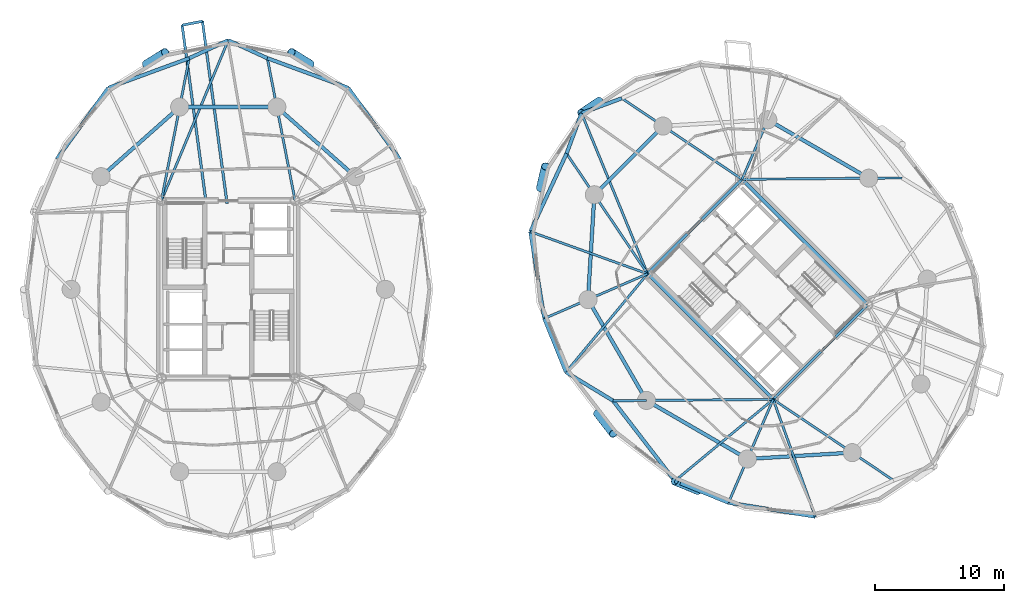
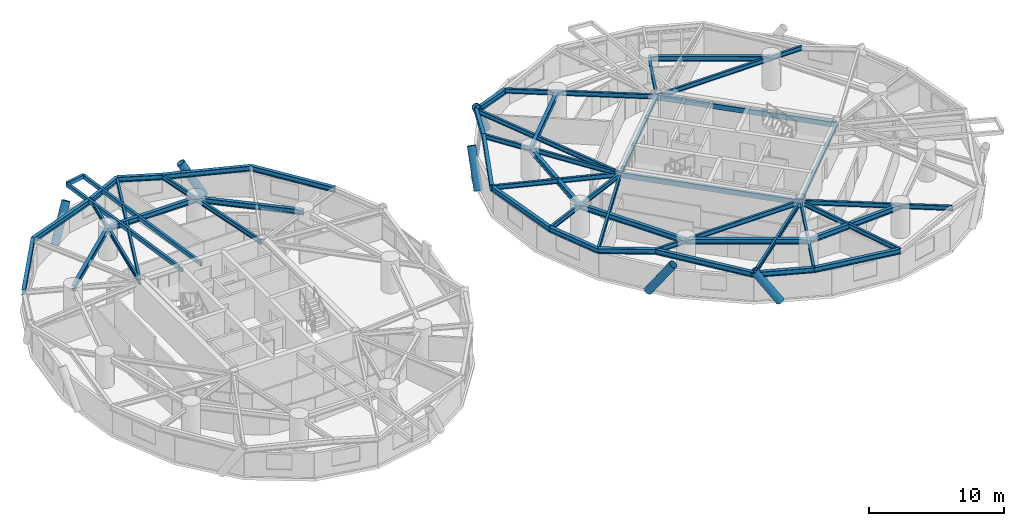
# One storey, part 5 of 17: 48 beams, 6 members.
"""IFC4 building model written with IfcOpenShell, lengths in metres."""

from ifc_helpers import new_model, si_unit, direction, frame, origin, origin_2d, place, context, subcontext, project, spatial, hollow_rectangle, hollow_circle, i_section, extrude, material, material_profile, profile_set, type_object, element, save


model = new_model("IFC4")

# Units and contexts
model_context = context("Model", 3, precision=1e-05, world=origin(), true_north=direction((0.0, 1.0)))
body_context = subcontext(model_context, "Body", "Model", "MODEL_VIEW")
ifc_project = project(units=[si_unit("LENGTHUNIT", "METRE"), si_unit("AREAUNIT", "SQUARE_METRE"), si_unit("VOLUMEUNIT", "CUBIC_METRE"), si_unit("PLANEANGLEUNIT", "RADIAN"), si_unit("MASSUNIT", "GRAM", prefix="KILO")], contexts=[model_context])

# Site, building, storey
site_placement = place(None, origin())
site = spatial("IfcSite", under=ifc_project, at=site_placement, CompositionType="ELEMENT")
building_placement = place(site_placement, origin())
building = spatial("IfcBuilding", under=site, at=building_placement, Name="Cununo Teusaquillo Station Towers", CompositionType="ELEMENT")
storey_placement = place(building_placement, frame((0.0, 0.0, 107.97998046875)))
storey = spatial("IfcBuildingStorey", under=building, at=storey_placement, Name="L34", CompositionType="ELEMENT", Elevation=107.97998046875)

# Beams
ifc_material_1 = material(Name="Steel EN 10025-2 S355J2", Category="steel")
ifc_material_profile_1 = material_profile(ifc_material_1, hollow_rectangle(XDim=0.199951171875, YDim=0.35009765625, WallThickness=0.013916015625, at=origin_2d()), Name="RHS 350x200x14")
ifc_profile_set_1 = profile_set([ifc_material_profile_1], Name="Steel EN 10025-2 S355J2")
beam_type_1 = type_object("IfcBeamType", Name="BM-BAL-CANT", PredefinedType="BEAM", material=ifc_profile_set_1)
beam_1_placement = place(storey_placement, frame((16.40869140625, 31.14990234375, 2.4951171875), z_axis=(-0.133936551357, 0.990989909237, 0.0), x_axis=(-0.990989909237, -0.133936551357, 0.0)))
element("IfcBeam", 1, at=beam_1_placement, inside=storey, type_object=beam_type_1, Name="L34 Tower A Balcony Cantilever Bracket 1A", PredefinedType="BEAM", context=body_context, shape_type="SweptSolid", body=[
    extrude(hollow_rectangle(XDim=0.199951171875, YDim=0.35009765625, WallThickness=0.013916015625, at=origin_2d()), origin(), (0.0, 0.0, 1.0), 14.24169921875),
])
beam_2_placement = place(storey_placement, frame((14.793701171875, 31.14990234375, 2.4951171875), z_axis=(-0.133960678738, 0.990986648019, 0.0), x_axis=(-0.990986648019, -0.133960678738, 0.0)))
element("IfcBeam", 2, at=beam_2_placement, inside=storey, type_object=beam_type_1, Name="L34 Tower A Balcony Cantilever Bracket 1B", PredefinedType="BEAM", context=body_context, shape_type="SweptSolid", body=[
    extrude(hollow_rectangle(XDim=0.199951171875, YDim=0.35009765625, WallThickness=0.013916015625, at=origin_2d()), origin(), (0.0, 0.0, 1.0), 13.9345703125),
])
ifc_material_2 = material(Name="Steel EN 10025-2 S355J2", Category="steel")
ifc_material_profile_2 = material_profile(ifc_material_2, hollow_rectangle(XDim=0.25, YDim=0.449951171875, WallThickness=0.01611328125, at=origin_2d()), Name="RHS 450x250x16")
ifc_profile_set_2 = profile_set([ifc_material_profile_2], Name="Steel EN 10025-2 S355J2")
beam_type_2 = type_object("IfcBeamType", Name="BM-COUP-1", PredefinedType="USERDEFINED", material=ifc_profile_set_2)
for number, where, z_axis, x_axis, name in (
    (3, (58.70556640625, 15.975830078125, 2.445068359375), (-0.707106781187, 0.707106781187, 0.0), (-0.707106781187, -0.707106781187, 0.0), "L34 Tower B Core Beam 1"),
    (4, (66.024169921875, 23.29443359375, 2.445068359375), (-0.707106781187, 0.707106781187, 0.0), (-0.707106781187, -0.707106781187, 0.0), "L34 Tower B Core Beam 2"),
):
    element("IfcBeam", number, at=place(storey_placement, frame(where, z_axis=z_axis, x_axis=x_axis)), inside=storey, type_object=beam_type_2, Name=name, ObjectType="COUPLING BEAM", PredefinedType="USERDEFINED", context=body_context, shape_type="SweptSolid", body=[
        extrude(hollow_rectangle(XDim=0.25, YDim=0.449951171875, WallThickness=0.01611328125, at=origin_2d()), origin(), (0.0, 0.0, 1.0), 13.760009765625),
    ])
ifc_material_3 = material(Name="Steel ASTM A572 Grade 50", Category="steel")
ifc_material_profile_3 = material_profile(ifc_material_3, i_section(OverallWidth=0.180908203125, OverallDepth=0.4169921875, WebThickness=0.010986328125, FlangeThickness=0.018310546875, FilletRadius=0.012939453125, at=origin_2d()), Name="W16X57")
ifc_profile_set_3 = profile_set([ifc_material_profile_3], Name="Steel ASTM A572 Grade 50")
beam_type_3 = type_object("IfcBeamType", Name="BM-JOIST-1", PredefinedType="JOIST", material=ifc_profile_set_3)
beam_3_placement = place(storey_placement, frame((11.324951171875, 31.3798828125, 2.46142578125), z_axis=(0.38487837995, 0.922967297713, 0.0), x_axis=(-0.922967297713, 0.38487837995, 0.0)))
element("IfcBeam", 5, at=beam_3_placement, inside=storey, type_object=beam_type_3, Name="L34 Tower A Radial Spandrel Joist V05", PredefinedType="JOIST", context=body_context, shape_type="SweptSolid", body=[
    extrude(i_section(OverallWidth=0.180908203125, OverallDepth=0.4169921875, WebThickness=0.010986328125, FlangeThickness=0.018310546875, FilletRadius=0.012939453125, at=origin_2d()), origin(), (0.0, 0.0, 1.0), 13.446044921875),
])
beam_4_placement = place(storey_placement, frame((48.975830078125, 25.70556640625, 2.46142578125), z_axis=(-0.380485864505, 0.924786735908, 0.0), x_axis=(-0.924786735908, -0.380485864505, 0.0)))
element("IfcBeam", 6, at=beam_4_placement, inside=storey, type_object=beam_type_3, Name="L34 Tower B Radial Spandrel Joist V05", PredefinedType="JOIST", context=body_context, shape_type="SweptSolid", body=[
    extrude(i_section(OverallWidth=0.180908203125, OverallDepth=0.4169921875, WebThickness=0.010986328125, FlangeThickness=0.018310546875, FilletRadius=0.012939453125, at=origin_2d()), origin(), (0.0, 0.0, 1.0), 13.44580078125),
])
beam_5_placement = place(storey_placement, frame((48.975830078125, 25.70556640625, 2.46142578125), z_axis=(-0.941082771055, 0.338176312038, 0.0), x_axis=(-0.338176312038, -0.941082771055, 0.0)))
element("IfcBeam", 7, at=beam_5_placement, inside=storey, type_object=beam_type_3, Name="L34 Tower B Radial Spandrel Joist V07", PredefinedType="JOIST", context=body_context, shape_type="SweptSolid", body=[
    extrude(i_section(OverallWidth=0.180908203125, OverallDepth=0.4169921875, WebThickness=0.010986328125, FlangeThickness=0.018310546875, FilletRadius=0.012939453125, at=origin_2d()), origin(), (0.0, 0.0, 1.0), 9.646484375),
])
for number, where, z_axis, x_axis, name in (
    (8, (48.975830078125, 25.70556640625, 2.46142578125), (-0.638372238196, -0.769727799615, 0.0), (0.769727799615, -0.638372238196, 0.0), "L34 Tower B Radial Spandrel Joist V09"),
    (9, (58.70556640625, 15.975830078125, 2.46142578125), (-0.769727799615, -0.638372238196, 0.0), (0.638372238196, -0.769727799615, 0.0), "L34 Tower B Radial Spandrel Joist V11"),
):
    element("IfcBeam", number, at=place(storey_placement, frame(where, z_axis=z_axis, x_axis=x_axis)), inside=storey, type_object=beam_type_3, Name=name, PredefinedType="JOIST", context=body_context, shape_type="SweptSolid", body=[
        extrude(i_section(OverallWidth=0.180908203125, OverallDepth=0.4169921875, WebThickness=0.010986328125, FlangeThickness=0.018310546875, FilletRadius=0.012939453125, at=origin_2d()), origin(), (0.0, 0.0, 1.0), 9.895263671875),
    ])
beam_6_placement = place(storey_placement, frame((58.70556640625, 15.975830078125, 2.46142578125), z_axis=(0.338176312038, -0.941082771055, 0.0), x_axis=(0.941082771055, 0.338176312038, 0.0)))
element("IfcBeam", 10, at=beam_6_placement, inside=storey, type_object=beam_type_3, Name="L34 Tower B Radial Spandrel Joist V13", PredefinedType="JOIST", context=body_context, shape_type="SweptSolid", body=[
    extrude(i_section(OverallWidth=0.180908203125, OverallDepth=0.4169921875, WebThickness=0.010986328125, FlangeThickness=0.018310546875, FilletRadius=0.012939453125, at=origin_2d()), origin(), (0.0, 0.0, 1.0), 9.646484375),
])
ifc_material_4 = material(Name="Steel ASTM A572 Grade 50", Category="steel")
ifc_material_profile_4 = material_profile(ifc_material_4, i_section(OverallWidth=0.2041015625, OverallDepth=0.35009765625, WebThickness=0.008544921875, FlangeThickness=0.01513671875, FilletRadius=0.011962890625, at=origin_2d()), Name="W14X48")
ifc_profile_set_4 = profile_set([ifc_material_profile_4], Name="Steel ASTM A572 Grade 50")
beam_type_4 = type_object("IfcBeamType", Name="BM-LINTEL-1", PredefinedType="LINTEL", material=ifc_profile_set_4)
for number, where, z_axis, x_axis, name in (
    (11, (58.70556640625, 15.975830078125, 2.4951171875), (0.707106781187, 0.707106781187, 0.0), (-0.707106781187, 0.707106781187, 0.0), "L34 Tower B Core Beam 3"),
    (12, (48.975830078125, 25.70556640625, 2.4951171875), (0.707106781187, 0.707106781187, 0.0), (-0.707106781187, 0.707106781187, 0.0), "L34 Tower B Core Beam 4"),
):
    element("IfcBeam", number, at=place(storey_placement, frame(where, z_axis=z_axis, x_axis=x_axis)), inside=storey, type_object=beam_type_4, Name=name, PredefinedType="LINTEL", context=body_context, shape_type="SweptSolid", body=[
        extrude(i_section(OverallWidth=0.2041015625, OverallDepth=0.35009765625, WebThickness=0.008544921875, FlangeThickness=0.01513671875, FilletRadius=0.011962890625, at=origin_2d()), origin(), (0.0, 0.0, 1.0), 10.35009765625),
    ])
ifc_material_5 = material(Name="Steel ASTM A572 Grade 50", Category="steel")
ifc_material_profile_5 = material_profile(ifc_material_5, i_section(OverallWidth=0.180908203125, OverallDepth=0.4169921875, WebThickness=0.010986328125, FlangeThickness=0.018310546875, FilletRadius=0.012939453125, at=origin_2d()), Name="W16X57")
ifc_profile_set_5 = profile_set([ifc_material_profile_5], Name="Steel ASTM A572 Grade 50")
beam_type_5 = type_object("IfcBeamType", Name="BM-RAD-G2", PredefinedType="BEAM", material=ifc_profile_set_5)
for number, where, z_axis, x_axis, name in (
    (13, (21.675048828125, 31.3798828125, 2.46142578125), (-0.191552755713, 0.981482318628, 0.0), (-0.981482318628, -0.191552755713, 0.0), "L34 Tower A Continuous Overhanging Radial Girder 03"),
    (14, (11.324951171875, 31.3798828125, 2.46142578125), (0.191552755713, 0.981482318628, 0.0), (-0.981482318628, 0.191552755713, 0.0), "L34 Tower A Continuous Overhanging Radial Girder 04"),
):
    element("IfcBeam", number, at=place(storey_placement, frame(where, z_axis=z_axis, x_axis=x_axis)), inside=storey, type_object=beam_type_5, Name=name, PredefinedType="BEAM", context=body_context, shape_type="SweptSolid", body=[
        extrude(i_section(OverallWidth=0.180908203125, OverallDepth=0.4169921875, WebThickness=0.010986328125, FlangeThickness=0.018310546875, FilletRadius=0.012939453125, at=origin_2d()), origin(), (0.0, 0.0, 1.0), 11.22998046875),
    ])
beam_7_placement = place(storey_placement, frame((56.29443359375, 33.024169921875, 2.46142578125), z_axis=(0.999964331255, 0.008446077024, 0.0), x_axis=(-0.008446077024, 0.999964331255, 0.0)))
element("IfcBeam", 15, at=beam_7_placement, inside=storey, type_object=beam_type_5, Name="L34 Tower B Continuous Overhanging Radial Girder 01", PredefinedType="BEAM", context=body_context, shape_type="SweptSolid", body=[
    extrude(i_section(OverallWidth=0.180908203125, OverallDepth=0.4169921875, WebThickness=0.010986328125, FlangeThickness=0.018310546875, FilletRadius=0.012939453125, at=origin_2d()), origin(), (0.0, 0.0, 1.0), 12.400634765625),
])
beam_8_placement = place(storey_placement, frame((56.29443359375, 33.024169921875, 2.46142578125), z_axis=(0.397346986387, 0.917668443616, 0.0), x_axis=(-0.917668443616, 0.397346986387, 0.0)))
element("IfcBeam", 16, at=beam_8_placement, inside=storey, type_object=beam_type_5, Name="L34 Tower B Radial Girder 02A", PredefinedType="BEAM", context=body_context, shape_type="SweptSolid", body=[
    extrude(i_section(OverallWidth=0.180908203125, OverallDepth=0.4169921875, WebThickness=0.010986328125, FlangeThickness=0.018310546875, FilletRadius=0.012939453125, at=origin_2d()), origin(), (0.0, 0.0, 1.0), 5.02490234375),
])
for number, where, z_axis, x_axis, name in (
    (17, (56.29443359375, 33.024169921875, 2.46142578125), (-0.82945583878, 0.558572297481, 0.0), (-0.558572297481, -0.82945583878, 0.0), "L34 Tower B Continuous Overhanging Radial Girder 03"),
    (18, (48.975830078125, 25.70556640625, 2.46142578125), (-0.558572297481, 0.82945583878, 0.0), (-0.82945583878, -0.558572297481, 0.0), "L34 Tower B Continuous Overhanging Radial Girder 04"),
):
    element("IfcBeam", number, at=place(storey_placement, frame(where, z_axis=z_axis, x_axis=x_axis)), inside=storey, type_object=beam_type_5, Name=name, PredefinedType="BEAM", context=body_context, shape_type="SweptSolid", body=[
        extrude(i_section(OverallWidth=0.180908203125, OverallDepth=0.4169921875, WebThickness=0.010986328125, FlangeThickness=0.018310546875, FilletRadius=0.012939453125, at=origin_2d()), origin(), (0.0, 0.0, 1.0), 11.22998046875),
    ])
beam_9_placement = place(storey_placement, frame((48.975830078125, 25.70556640625, 2.46142578125), z_axis=(-0.917654733344, -0.397378648609, 0.0), x_axis=(0.397378648609, -0.917654733344, 0.0)))
element("IfcBeam", 19, at=beam_9_placement, inside=storey, type_object=beam_type_5, Name="L34 Tower B Continuous Overhanging Radial Girder 05", PredefinedType="BEAM", context=body_context, shape_type="SweptSolid", body=[
    extrude(i_section(OverallWidth=0.180908203125, OverallDepth=0.4169921875, WebThickness=0.010986328125, FlangeThickness=0.018310546875, FilletRadius=0.012939453125, at=origin_2d()), origin(), (0.0, 0.0, 1.0), 8.71484375),
])
beam_10_placement = place(storey_placement, frame((58.70556640625, 15.975830078125, 2.46142578125), z_axis=(-0.999964431382, -0.008434214327, 0.0), x_axis=(0.008434214327, -0.999964431382, 0.0)))
element("IfcBeam", 20, at=beam_10_placement, inside=storey, type_object=beam_type_5, Name="L34 Tower B Radial Girder 06A", PredefinedType="BEAM", context=body_context, shape_type="SweptSolid", body=[
    extrude(i_section(OverallWidth=0.180908203125, OverallDepth=0.4169921875, WebThickness=0.010986328125, FlangeThickness=0.018310546875, FilletRadius=0.012939453125, at=origin_2d()), origin(), (0.0, 0.0, 1.0), 9.812744140625),
])
beam_11_placement = place(storey_placement, frame((48.89306640625, 15.89306640625, 2.46142578125), z_axis=(-0.999963950292, -0.008491060999, 0.0), x_axis=(0.008491060999, -0.999963950292, 0.0)))
element("IfcBeam", 21, at=beam_11_placement, inside=storey, type_object=beam_type_5, Name="L34 Tower B Perimeter Overhang Girder 06B", PredefinedType="BEAM", context=body_context, shape_type="SweptSolid", body=[
    extrude(i_section(OverallWidth=0.180908203125, OverallDepth=0.4169921875, WebThickness=0.010986328125, FlangeThickness=0.018310546875, FilletRadius=0.012939453125, at=origin_2d()), origin(), (0.0, 0.0, 1.0), 2.587646484375),
])
beam_12_placement = place(storey_placement, frame((58.70556640625, 15.975830078125, 2.46142578125), z_axis=(-0.397378648609, -0.917654733344, 0.0), x_axis=(0.917654733344, -0.397378648609, 0.0)))
element("IfcBeam", 22, at=beam_12_placement, inside=storey, type_object=beam_type_5, Name="L34 Tower B Continuous Overhanging Radial Girder 07", PredefinedType="BEAM", context=body_context, shape_type="SweptSolid", body=[
    extrude(i_section(OverallWidth=0.180908203125, OverallDepth=0.4169921875, WebThickness=0.010986328125, FlangeThickness=0.018310546875, FilletRadius=0.012939453125, at=origin_2d()), origin(), (0.0, 0.0, 1.0), 8.71484375),
])
beam_13_placement = place(storey_placement, frame((58.70556640625, 15.975830078125, 2.46142578125), z_axis=(0.82945583878, -0.558572297481, 0.0), x_axis=(0.558572297481, 0.82945583878, 0.0)))
element("IfcBeam", 23, at=beam_13_placement, inside=storey, type_object=beam_type_5, Name="L34 Tower B Continuous Overhanging Radial Girder 08", PredefinedType="BEAM", context=body_context, shape_type="SweptSolid", body=[
    extrude(i_section(OverallWidth=0.180908203125, OverallDepth=0.4169921875, WebThickness=0.010986328125, FlangeThickness=0.018310546875, FilletRadius=0.012939453125, at=origin_2d()), origin(), (0.0, 0.0, 1.0), 11.22998046875),
])
ifc_material_6 = material(Name="Steel ASTM A572 Grade 50", Category="steel")
ifc_material_profile_6 = material_profile(ifc_material_6, i_section(OverallWidth=0.280029296875, OverallDepth=0.462890625, WebThickness=0.0107421875, FlangeThickness=0.017333984375, FilletRadius=0.013916015625, at=origin_2d()), Name="W18X76")
ifc_profile_set_6 = profile_set([ifc_material_profile_6], Name="Steel ASTM A572 Grade 50")
beam_type_6 = type_object("IfcBeamType", Name="BM-RING-Z2", PredefinedType="SPANDREL", material=ifc_profile_set_6)
beam_14_placement = place(storey_placement, frame((26.347412109375, 33.228515625, 2.4384765625), z_axis=(-0.74832120039, 0.66333655187, 0.0), x_axis=(-0.66333655187, -0.74832120039, 0.0)))
element("IfcBeam", 24, at=beam_14_placement, inside=storey, type_object=beam_type_6, Name="L34 Tower A Structural Column Ring Girder 02", PredefinedType="SPANDREL", context=body_context, shape_type="SweptSolid", body=[
    extrude(i_section(OverallWidth=0.280029296875, OverallDepth=0.462890625, WebThickness=0.0107421875, FlangeThickness=0.017333984375, FilletRadius=0.013916015625, at=origin_2d()), origin(), (0.0, 0.0, 1.0), 8.1328125),
])
beam_15_placement = place(storey_placement, frame((20.261474609375, 38.623291015625, 2.4384765625), z_axis=(-1.0, 0.0, 0.0), x_axis=(0.0, -1.0, 0.0)))
element("IfcBeam", 25, at=beam_15_placement, inside=storey, type_object=beam_type_6, Name="L34 Tower A Structural Column Ring Girder 03", PredefinedType="SPANDREL", context=body_context, shape_type="SweptSolid", body=[
    extrude(i_section(OverallWidth=0.280029296875, OverallDepth=0.462890625, WebThickness=0.0107421875, FlangeThickness=0.017333984375, FilletRadius=0.013916015625, at=origin_2d()), origin(), (0.0, 0.0, 1.0), 7.52294921875),
])
beam_16_placement = place(storey_placement, frame((12.738525390625, 38.623291015625, 2.4384765625), z_axis=(-0.74832120039, -0.66333655187, 0.0), x_axis=(0.66333655187, -0.74832120039, 0.0)))
element("IfcBeam", 26, at=beam_16_placement, inside=storey, type_object=beam_type_6, Name="L34 Tower A Structural Column Ring Girder 04", PredefinedType="SPANDREL", context=body_context, shape_type="SweptSolid", body=[
    extrude(i_section(OverallWidth=0.280029296875, OverallDepth=0.462890625, WebThickness=0.0107421875, FlangeThickness=0.017333984375, FilletRadius=0.013916015625, at=origin_2d()), origin(), (0.0, 0.0, 1.0), 8.1328125),
])
beam_17_placement = place(storey_placement, frame((29.77880859375, 34.586181640625, 2.4384765625), z_axis=(-0.58594455724, 0.810351143543, 0.0), x_axis=(-0.810351143543, -0.58594455724, 0.0)))
element("IfcBeam", 27, at=beam_17_placement, inside=storey, type_object=beam_type_6, Name="L34 Tower A Spandrel Ring Beam 03", PredefinedType="SPANDREL", context=body_context, shape_type="SweptSolid", body=[
    extrude(i_section(OverallWidth=0.280029296875, OverallDepth=0.462890625, WebThickness=0.0107421875, FlangeThickness=0.017333984375, FilletRadius=0.013916015625, at=origin_2d()), origin(), (0.0, 0.0, 1.0), 6.8115234375),
])
beam_18_placement = place(storey_placement, frame((25.78759765625, 40.10595703125, 2.4384765625), z_axis=(-0.938914161016, 0.34415141761, 0.0), x_axis=(-0.34415141761, -0.938914161016, 0.0)))
element("IfcBeam", 28, at=beam_18_placement, inside=storey, type_object=beam_type_6, Name="L34 Tower A Spandrel Ring Beam 04", PredefinedType="SPANDREL", context=body_context, shape_type="SweptSolid", body=[
    extrude(i_section(OverallWidth=0.280029296875, OverallDepth=0.462890625, WebThickness=0.0107421875, FlangeThickness=0.017333984375, FilletRadius=0.013916015625, at=origin_2d()), origin(), (0.0, 0.0, 1.0), 6.671142578125),
])
for number, where, z_axis, x_axis, name in (
    (29, (19.52392578125, 42.40185546875, 2.4384765625), (-0.908812215281, 0.417205413862, 0.0), (-0.417205413862, -0.908812215281, 0.0), "L34 Tower A Spandrel Ring Beam 05"),
    (30, (16.5, 43.7900390625, 2.4384765625), (-0.908812215281, -0.417205413862, 0.0), (0.417205413862, -0.908812215281, 0.0), "L34 Tower A Spandrel Ring Beam 06"),
):
    element("IfcBeam", number, at=place(storey_placement, frame(where, z_axis=z_axis, x_axis=x_axis)), inside=storey, type_object=beam_type_6, Name=name, PredefinedType="SPANDREL", context=body_context, shape_type="SweptSolid", body=[
        extrude(i_section(OverallWidth=0.280029296875, OverallDepth=0.462890625, WebThickness=0.0107421875, FlangeThickness=0.017333984375, FilletRadius=0.013916015625, at=origin_2d()), origin(), (0.0, 0.0, 1.0), 3.327392578125),
    ])
beam_19_placement = place(storey_placement, frame((13.47607421875, 42.40185546875, 2.4384765625), z_axis=(-0.938914161016, -0.34415141761, 0.0), x_axis=(0.34415141761, -0.938914161016, 0.0)))
element("IfcBeam", 31, at=beam_19_placement, inside=storey, type_object=beam_type_6, Name="L34 Tower A Spandrel Ring Beam 07", PredefinedType="SPANDREL", context=body_context, shape_type="SweptSolid", body=[
    extrude(i_section(OverallWidth=0.280029296875, OverallDepth=0.462890625, WebThickness=0.0107421875, FlangeThickness=0.017333984375, FilletRadius=0.013916015625, at=origin_2d()), origin(), (0.0, 0.0, 1.0), 6.671142578125),
])
beam_20_placement = place(storey_placement, frame((7.21240234375, 40.10595703125, 2.4384765625), z_axis=(-0.58594455724, -0.810351143543, 0.0), x_axis=(0.810351143543, -0.58594455724, 0.0)))
element("IfcBeam", 32, at=beam_20_placement, inside=storey, type_object=beam_type_6, Name="L34 Tower A Spandrel Ring Beam 08", PredefinedType="SPANDREL", context=body_context, shape_type="SweptSolid", body=[
    extrude(i_section(OverallWidth=0.280029296875, OverallDepth=0.462890625, WebThickness=0.0107421875, FlangeThickness=0.017333984375, FilletRadius=0.013916015625, at=origin_2d()), origin(), (0.0, 0.0, 1.0), 6.8115234375),
])
beam_21_placement = place(storey_placement, frame((66.10693359375, 33.10693359375, 2.4384765625), z_axis=(-0.865267103202, 0.501311121078, 0.0), x_axis=(-0.501311121078, -0.865267103202, 0.0)))
element("IfcBeam", 33, at=beam_21_placement, inside=storey, type_object=beam_type_6, Name="L34 Tower B Structural Column Ring Girder 01", PredefinedType="SPANDREL", context=body_context, shape_type="SweptSolid", body=[
    extrude(i_section(OverallWidth=0.280029296875, OverallDepth=0.462890625, WebThickness=0.0107421875, FlangeThickness=0.017333984375, FilletRadius=0.013916015625, at=origin_2d()), origin(), (0.0, 0.0, 1.0), 9.032958984375),
])
beam_22_placement = place(storey_placement, frame((50.173095703125, 37.146240234375, 2.4384765625), z_axis=(-0.707106781187, -0.707106781187, 0.0), x_axis=(0.707106781187, -0.707106781187, 0.0)))
element("IfcBeam", 34, at=beam_22_placement, inside=storey, type_object=beam_type_6, Name="L34 Tower B Structural Column Ring Girder 03", PredefinedType="SPANDREL", context=body_context, shape_type="SweptSolid", body=[
    extrude(i_section(OverallWidth=0.280029296875, OverallDepth=0.462890625, WebThickness=0.0107421875, FlangeThickness=0.017333984375, FilletRadius=0.013916015625, at=origin_2d()), origin(), (0.0, 0.0, 1.0), 7.522705078125),
])
beam_23_placement = place(storey_placement, frame((44.853759765625, 31.826904296875, 2.4384765625), z_axis=(-0.06012979176, -0.998190567048, 0.0), x_axis=(0.998190567048, -0.06012979176, 0.0)))
element("IfcBeam", 35, at=beam_23_placement, inside=storey, type_object=beam_type_6, Name="L34 Tower B Structural Column Ring Girder 04", PredefinedType="SPANDREL", context=body_context, shape_type="SweptSolid", body=[
    extrude(i_section(OverallWidth=0.280029296875, OverallDepth=0.462890625, WebThickness=0.0107421875, FlangeThickness=0.017333984375, FilletRadius=0.013916015625, at=origin_2d()), origin(), (0.0, 0.0, 1.0), 8.132568359375),
])
for number, where, z_axis, x_axis, name in (
    (36, (44.36474609375, 23.708984375, 2.4384765625), (0.501311121078, -0.865267103202, 0.0), (0.865267103202, 0.501311121078, 0.0), "L34 Tower B Structural Column Ring Girder 05"),
    (37, (48.89306640625, 15.89306640625, 2.4384765625), (0.865267103202, -0.501311121078, 0.0), (0.501311121078, 0.865267103202, 0.0), "L34 Tower B Structural Column Ring Girder 06"),
):
    element("IfcBeam", number, at=place(storey_placement, frame(where, z_axis=z_axis, x_axis=x_axis)), inside=storey, type_object=beam_type_6, Name=name, PredefinedType="SPANDREL", context=body_context, shape_type="SweptSolid", body=[
        extrude(i_section(OverallWidth=0.280029296875, OverallDepth=0.462890625, WebThickness=0.0107421875, FlangeThickness=0.017333984375, FilletRadius=0.013916015625, at=origin_2d()), origin(), (0.0, 0.0, 1.0), 9.032958984375),
    ])
beam_24_placement = place(storey_placement, frame((56.708984375, 11.36474609375, 2.4384765625), z_axis=(0.998190567048, 0.06012979176, 0.0), x_axis=(-0.06012979176, 0.998190567048, 0.0)))
element("IfcBeam", 38, at=beam_24_placement, inside=storey, type_object=beam_type_6, Name="L34 Tower B Structural Column Ring Girder 07", PredefinedType="SPANDREL", context=body_context, shape_type="SweptSolid", body=[
    extrude(i_section(OverallWidth=0.280029296875, OverallDepth=0.462890625, WebThickness=0.0107421875, FlangeThickness=0.017333984375, FilletRadius=0.013916015625, at=origin_2d()), origin(), (0.0, 0.0, 1.0), 8.132568359375),
])
for number, where, z_axis, x_axis, name in (
    (39, (46.979736328125, 39.296875, 2.4384765625), (-0.937628334414, -0.347639333943, 0.0), (0.347639333943, -0.937628334414, 0.0), "L34 Tower B Spandrel Ring Beam 05"),
    (40, (43.85986328125, 38.14013671875, 2.4384765625), (-0.347639333943, -0.937628334414, 0.0), (0.937628334414, -0.347639333943, 0.0), "L34 Tower B Spandrel Ring Beam 06"),
):
    element("IfcBeam", number, at=place(storey_placement, frame(where, z_axis=z_axis, x_axis=x_axis)), inside=storey, type_object=beam_type_6, Name=name, PredefinedType="SPANDREL", context=body_context, shape_type="SweptSolid", body=[
        extrude(i_section(OverallWidth=0.280029296875, OverallDepth=0.462890625, WebThickness=0.0107421875, FlangeThickness=0.017333984375, FilletRadius=0.013916015625, at=origin_2d()), origin(), (0.0, 0.0, 1.0), 3.327392578125),
    ])
beam_25_placement = place(storey_placement, frame((42.703125, 35.020263671875, 2.4384765625), z_axis=(-0.420535961689, -0.907275870354, 0.0), x_axis=(0.907275870354, -0.420535961689, 0.0)))
element("IfcBeam", 41, at=beam_25_placement, inside=storey, type_object=beam_type_6, Name="L34 Tower B Spandrel Ring Beam 07", PredefinedType="SPANDREL", context=body_context, shape_type="SweptSolid", body=[
    extrude(i_section(OverallWidth=0.280029296875, OverallDepth=0.462890625, WebThickness=0.0107421875, FlangeThickness=0.017333984375, FilletRadius=0.013916015625, at=origin_2d()), origin(), (0.0, 0.0, 1.0), 6.671142578125),
])
beam_26_placement = place(storey_placement, frame((39.897705078125, 28.9677734375, 2.4384765625), z_axis=(0.158671232312, -0.987331474246, 0.0), x_axis=(0.987331474246, 0.158671232312, 0.0)))
element("IfcBeam", 42, at=beam_26_placement, inside=storey, type_object=beam_type_6, Name="L34 Tower B Spandrel Ring Beam 08", PredefinedType="SPANDREL", context=body_context, shape_type="SweptSolid", body=[
    extrude(i_section(OverallWidth=0.280029296875, OverallDepth=0.462890625, WebThickness=0.0107421875, FlangeThickness=0.017333984375, FilletRadius=0.013916015625, at=origin_2d()), origin(), (0.0, 0.0, 1.0), 6.8115234375),
])
beam_27_placement = place(storey_placement, frame((40.978515625, 22.242431640625, 2.4384765625), z_axis=(0.375042266631, -0.927007712072, 0.0), x_axis=(0.927007712072, 0.375042266631, 0.0)))
element("IfcBeam", 43, at=beam_27_placement, inside=storey, type_object=beam_type_6, Name="L34 Tower B Spandrel Ring Beam 09", PredefinedType="SPANDREL", context=body_context, shape_type="SweptSolid", body=[
    extrude(i_section(OverallWidth=0.280029296875, OverallDepth=0.462890625, WebThickness=0.0107421875, FlangeThickness=0.017333984375, FilletRadius=0.013916015625, at=origin_2d()), origin(), (0.0, 0.0, 1.0), 4.480712890625),
])
beam_28_placement = place(storey_placement, frame((42.658935546875, 18.0888671875, 2.4384765625), z_axis=(0.854388492444, -0.519634779416, 0.0), x_axis=(0.519634779416, 0.854388492444, 0.0)))
element("IfcBeam", 44, at=beam_28_placement, inside=storey, type_object=beam_type_6, Name="L34 Tower B Spandrel Ring Beam 10", PredefinedType="SPANDREL", context=body_context, shape_type="SweptSolid", body=[
    extrude(i_section(OverallWidth=0.280029296875, OverallDepth=0.462890625, WebThickness=0.0107421875, FlangeThickness=0.017333984375, FilletRadius=0.013916015625, at=origin_2d()), origin(), (0.0, 0.0, 1.0), 4.26806640625),
])
beam_29_placement = place(storey_placement, frame((46.305419921875, 15.87109375, 2.4384765625), z_axis=(0.610100441726, -0.792324082056, 0.0), x_axis=(0.792324082056, 0.610100441726, 0.0)))
element("IfcBeam", 45, at=beam_29_placement, inside=storey, type_object=beam_type_6, Name="L34 Tower B Spandrel Ring Beam 11", PredefinedType="SPANDREL", context=body_context, shape_type="SweptSolid", body=[
    extrude(i_section(OverallWidth=0.280029296875, OverallDepth=0.462890625, WebThickness=0.0107421875, FlangeThickness=0.017333984375, FilletRadius=0.013916015625, at=origin_2d()), origin(), (0.0, 0.0, 1.0), 7.84033203125),
])
beam_30_placement = place(storey_placement, frame((51.0888671875, 9.658935546875, 2.4384765625), z_axis=(0.927007712072, -0.375042266631, 0.0), x_axis=(0.375042266631, 0.927007712072, 0.0)))
element("IfcBeam", 46, at=beam_30_placement, inside=storey, type_object=beam_type_6, Name="L34 Tower B Spandrel Ring Beam 12", PredefinedType="SPANDREL", context=body_context, shape_type="SweptSolid", body=[
    extrude(i_section(OverallWidth=0.280029296875, OverallDepth=0.462890625, WebThickness=0.0107421875, FlangeThickness=0.017333984375, FilletRadius=0.013916015625, at=origin_2d()), origin(), (0.0, 0.0, 1.0), 4.480712890625),
])
beam_31_placement = place(storey_placement, frame((55.242431640625, 7.978515625, 2.4384765625), z_axis=(0.987331474246, -0.158671232312, 0.0), x_axis=(0.158671232312, 0.987331474246, 0.0)))
element("IfcBeam", 47, at=beam_31_placement, inside=storey, type_object=beam_type_6, Name="L34 Tower B Spandrel Ring Beam 13", PredefinedType="SPANDREL", context=body_context, shape_type="SweptSolid", body=[
    extrude(i_section(OverallWidth=0.280029296875, OverallDepth=0.462890625, WebThickness=0.0107421875, FlangeThickness=0.017333984375, FilletRadius=0.013916015625, at=origin_2d()), origin(), (0.0, 0.0, 1.0), 6.8115234375),
])
ifc_material_7 = material(Name="Steel EN 10025-2 S355J2", Category="steel")
ifc_material_profile_7 = material_profile(ifc_material_7, hollow_rectangle(XDim=0.199951171875, YDim=0.35009765625, WallThickness=0.013916015625, at=origin_2d()), Name="RHS 350x200x14")
ifc_profile_set_7 = profile_set([ifc_material_profile_7], Name="Steel EN 10025-2 S355J2")
beam_type_7 = type_object("IfcBeamType", Name="BM-STAIR-TRIM", PredefinedType="BEAM", material=ifc_profile_set_7)
beam_32_placement = place(storey_placement, frame((14.501220703125, 45.26318359375, 2.52490234375), z_axis=(-0.981836621572, -0.189728354603, 0.0), x_axis=(0.189728354603, -0.981836621572, 0.0)))
element("IfcBeam", 48, at=beam_32_placement, inside=storey, type_object=beam_type_7, Name="L34 Tower A Balcony Edge Trimmer Beam 1", PredefinedType="BEAM", context=body_context, shape_type="SweptSolid", body=[
    extrude(hollow_rectangle(XDim=0.199951171875, YDim=0.35009765625, WallThickness=0.013916015625, at=origin_2d()), origin(), (0.0, 0.0, 1.0), 1.603271484375),
])

# Members
ifc_material_8 = material(Name="Steel EN 10025-2 S355J2", Category="steel")
ifc_material_profile_8 = material_profile(ifc_material_8, hollow_circle(Radius=0.330078125, WallThickness=0.02490234375, at=origin_2d()), Name="CHS 660x25")
ifc_profile_set_8 = profile_set([ifc_material_profile_8], Name="Steel EN 10025-2 S355J2")
member_type = type_object("IfcMemberType", Name="MBR-DIAG-Z2", PredefinedType="BRACE", material=ifc_profile_set_8)
for number, where, z_axis, x_axis, name in (
    (49, (22.85107421875, 41.9326171875, -0.139892578125), (-0.433768032271, 0.269824776975, 0.859674289432), (-0.528195574716, -0.849122744278, 0.0), "L34 Tower A Folded-Zigzag Diagrid Tube C03"),
    (50, (10.14892578125, 41.9326171875, -0.139892578125), (0.433768032271, 0.269824776975, 0.859674289432), (-0.528195574716, 0.849122744278, 0.0), "L34 Tower A Folded-Zigzag Diagrid Tube C06"),
):
    element("IfcMember", number, at=place(storey_placement, frame(where, z_axis=z_axis, x_axis=x_axis)), inside=storey, type_object=member_type, Name=name, PredefinedType="BRACE", context=body_context, shape_type="SweptSolid", body=[
        extrude(hollow_circle(Radius=0.330078125, WallThickness=0.02490234375, at=origin_2d()), origin(), (0.0, 0.0, 1.0), 3.385009765625),
    ])
member_1_placement = place(storey_placement, frame((45.2333984375, 39.068603515625, -0.139892578125), z_axis=(-0.410124934173, -0.277231625428, 0.868872927552), x_axis=(0.560024081213, -0.828476329452, 0.0)))
element("IfcMember", 51, at=member_1_placement, inside=storey, type_object=member_type, Name="L34 Tower B Folded-Zigzag Diagrid Tube C04", PredefinedType="BRACE", context=body_context, shape_type="SweptSolid", body=[
    extrude(hollow_circle(Radius=0.330078125, WallThickness=0.02490234375, at=origin_2d()), origin(), (0.0, 0.0, 1.0), 3.34912109375),
])
member_2_placement = place(storey_placement, frame((40.682373046875, 32.335693359375, -0.139892578125), z_axis=(0.115906612964, 0.49752571016, 0.859670765352), x_axis=(-0.973920299704, 0.226890391653, 0.0)))
element("IfcMember", 52, at=member_2_placement, inside=storey, type_object=member_type, Name="L34 Tower B Folded-Zigzag Diagrid Tube C06", PredefinedType="BRACE", context=body_context, shape_type="SweptSolid", body=[
    extrude(hollow_circle(Radius=0.330078125, WallThickness=0.02490234375, at=origin_2d()), origin(), (0.0, 0.0, 1.0), 3.385009765625),
])
member_3_placement = place(storey_placement, frame((45.104248046875, 14.914306640625, -0.139892578125), z_axis=(0.34606419194, -0.449302990414, 0.823630012726), x_axis=(0.792243348803, 0.610205273886, 0.0)))
element("IfcMember", 53, at=member_3_placement, inside=storey, type_object=member_type, Name="L34 Tower B Folded-Zigzag Diagrid Tube C09", PredefinedType="BRACE", context=body_context, shape_type="SweptSolid", body=[
    extrude(hollow_circle(Radius=0.330078125, WallThickness=0.02490234375, at=origin_2d()), origin(), (0.0, 0.0, 1.0), 3.532958984375),
])
member_4_placement = place(storey_placement, frame((52.885498046875, 8.92041015625, -0.139892578125), z_axis=(-0.513514067291, 0.211085752623, 0.831712755543), x_axis=(-0.380193455452, -0.924906987989, 0.0)))
element("IfcMember", 54, at=member_4_placement, inside=storey, type_object=member_type, Name="L34 Tower B Folded-Zigzag Diagrid Tube C11", PredefinedType="BRACE", context=body_context, shape_type="SweptSolid", body=[
    extrude(hollow_circle(Radius=0.330078125, WallThickness=0.02490234375, at=origin_2d()), origin(), (0.0, 0.0, 1.0), 3.498779296875),
])

save(model, "model.ifc")
